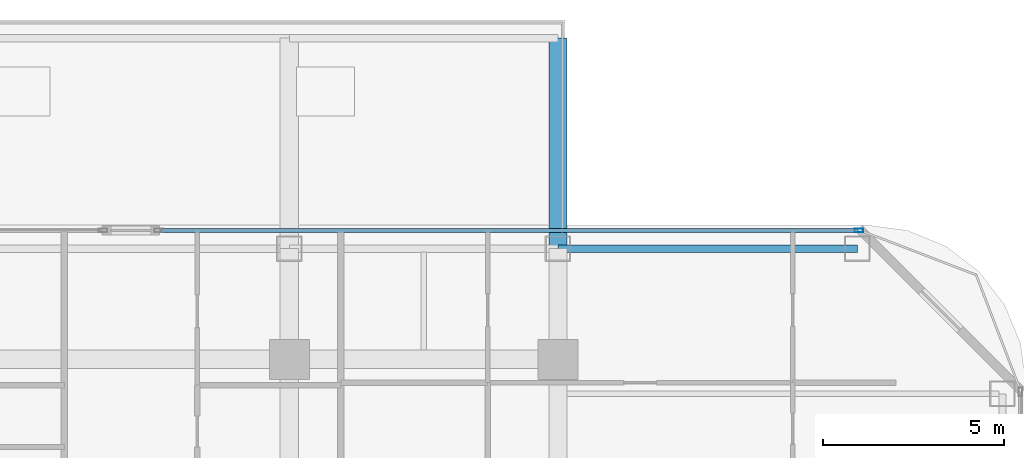
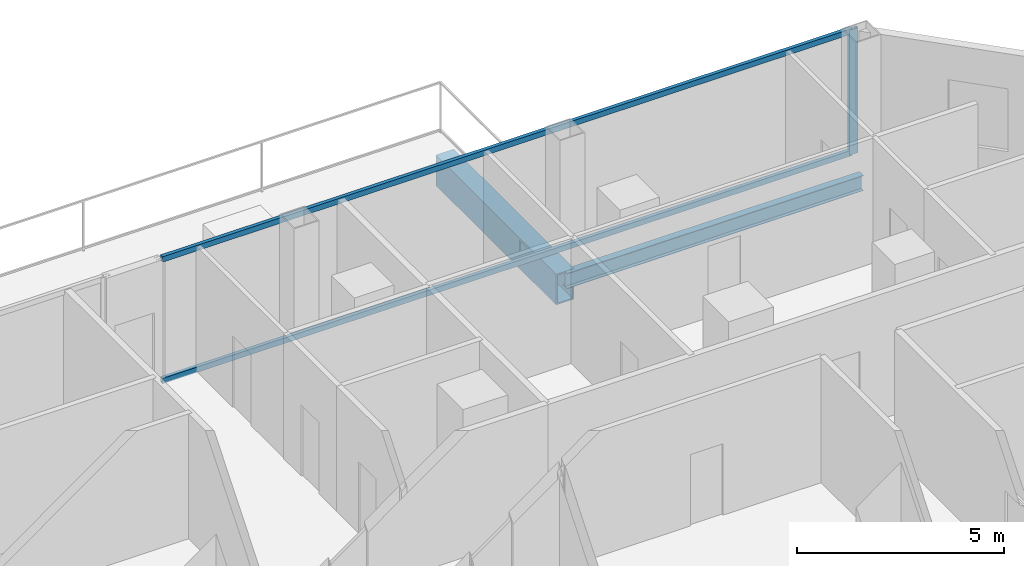
# One storey, part 18 of 29: 3 members, 2 beams, 1 element without a shape of its own.
"""IFC4 building model written with IfcOpenShell, lengths in metres."""

from ifc_helpers import new_model, si_unit, direction, frame, origin, origin_2d, place, context, subcontext, project, spatial, hollow_rectangle, i_section, extrude, material, layer, layer_set, material_profile, profile_set, type_object, element, aggregate, save


model = new_model("IFC4")

# Units and contexts
model_context = context("Model", 3, precision=1e-05, world=origin(), true_north=direction((0.0, 1.0)))
body_context = subcontext(model_context, "Body", "Model", "MODEL_VIEW")
ifc_project = project(units=[si_unit("LENGTHUNIT", "METRE"), si_unit("AREAUNIT", "SQUARE_METRE"), si_unit("VOLUMEUNIT", "CUBIC_METRE"), si_unit("PLANEANGLEUNIT", "RADIAN"), si_unit("MASSUNIT", "GRAM", prefix="KILO")], contexts=[model_context])

# Site, building, storey
site_placement = place(None, origin())
site = spatial("IfcSite", under=ifc_project, at=site_placement, CompositionType="ELEMENT")
building_placement = place(site_placement, origin())
building = spatial("IfcBuilding", under=site, at=building_placement, Name="Khorvyn Point Tower", CompositionType="ELEMENT")
storey_placement = place(building_placement, frame((0.0, 0.0, 136.800048828125)))
storey = spatial("IfcBuildingStorey", under=building, at=storey_placement, Name="L34", CompositionType="ELEMENT", Elevation=136.800048828125)

# Curtain wall, members
ifc_material_1 = material(Name="Anodised aluminium 6063-T6 and laminated Low-E glass", Category="aluminium")
ifc_layer = layer(ifc_material_1, 0.18994140625)
ifc_layer_set = layer_set([ifc_layer], Name="Stick-Built Acoustic Curtain Wall CW-SYS-03")
curtain_wall_type = type_object("IfcCurtainWallType", Name="Stick-Built Acoustic Curtain Wall CW-SYS-03", PredefinedType="NOTDEFINED", material=ifc_layer_set)
curtain_wall_placement = place(storey_placement, origin())
curtain_wall = element("IfcCurtainWall", 1, at=curtain_wall_placement, inside=storey, type_object=curtain_wall_type, Name="Curtain Wall", PredefinedType="NOTDEFINED")
ifc_material_2 = material(Name="Anodised aluminium 6063-T6", Category="aluminium")
ifc_material_profile_1 = material_profile(ifc_material_2, hollow_rectangle(XDim=0.10009765625, YDim=0.239990234375, WallThickness=0.0048828125, at=origin_2d()))
ifc_profile_set_1 = profile_set([ifc_material_profile_1], Name="Anodised aluminium 6063-T6 ALU-MUL-100x240")
member_type_1 = type_object("IfcMemberType", Name="Anodised Aluminium 6063-T6 Mullion ALU-MUL-100x240", PredefinedType="MULLION", material=ifc_profile_set_1)
member_1_placement = place(storey_placement, frame((23.10009765625, 23.64990234375, 0.0), z_axis=(0.0, 0.0, 1.0), x_axis=(0.0, 1.0, 0.0)))
member_1 = element("IfcMember", 2, at=member_1_placement, type_object=member_type_1, Name="Transom", PredefinedType="MULLION", context=body_context, shape_type="SweptSolid", body=[
    extrude(hollow_rectangle(XDim=0.10009765625, YDim=0.239990234375, WallThickness=0.0048828125, at=origin_2d()), origin(), (0.0, 0.0, 1.0), 3.679931640625),
])
ifc_material_profile_2 = material_profile(ifc_material_2, hollow_rectangle(XDim=0.10009765625, YDim=0.159912109375, WallThickness=0.00439453125, at=origin_2d()))
ifc_profile_set_2 = profile_set([ifc_material_profile_2], Name="Anodised aluminium 6063-T6 ALU-TRN-100x160")
member_type_2 = type_object("IfcMemberType", Name="Anodised Aluminium 6063-T6 Transom ALU-TRN-100x160", PredefinedType="USERDEFINED", material=ifc_profile_set_2)
member_2_placement = place(storey_placement, frame((3.85205078125, 23.64990234375, 0.050048828125), z_axis=(1.0, 0.0, 0.0), x_axis=(0.0, 1.0, 0.0)))
member_2 = element("IfcMember", 3, at=member_2_placement, type_object=member_type_2, Name="Transom", ObjectType="TRANSOM", PredefinedType="USERDEFINED", context=body_context, shape_type="SweptSolid", body=[
    extrude(hollow_rectangle(XDim=0.10009765625, YDim=0.159912109375, WallThickness=0.00439453125, at=origin_2d()), origin(), (0.0, 0.0, 1.0), 19.197998046875),
])
member_3_placement = place(storey_placement, frame((3.85205078125, 23.64990234375, 3.6298828125), z_axis=(1.0, 0.0, 0.0), x_axis=(0.0, 1.0, 0.0)))
member_3 = element("IfcMember", 4, at=member_3_placement, type_object=member_type_2, Name="Transom", ObjectType="TRANSOM", PredefinedType="USERDEFINED", context=body_context, shape_type="SweptSolid", body=[
    extrude(hollow_rectangle(XDim=0.10009765625, YDim=0.159912109375, WallThickness=0.00439453125, at=origin_2d()), origin(), (0.0, 0.0, 1.0), 19.197998046875),
])
aggregate(curtain_wall, [member_1, member_2, member_3])

# Beams
ifc_material_3 = material(Name="Steel S355", Category="steel")
ifc_material_profile_3 = material_profile(ifc_material_3, i_section(OverallWidth=0.199951171875, OverallDepth=0.449951171875, WebThickness=0.009033203125, FlangeThickness=0.013916015625, at=origin_2d()))
ifc_profile_set_3 = profile_set([ifc_material_profile_3], Name="Steel S355 H450x200x9x14")
beam_type_1 = type_object("IfcBeamType", Name="Steel S355 Spandrel H450x200x9x14", PredefinedType="SPANDREL", material=ifc_profile_set_3)
beam_1_placement = place(storey_placement, frame((14.800048828125, 23.14990234375, -0.505126953125), z_axis=(1.0, 0.0, 0.0), x_axis=(0.0, 1.0, 0.0)))
element("IfcBeam", 5, at=beam_1_placement, inside=storey, type_object=beam_type_1, Name="Beam", PredefinedType="SPANDREL", context=body_context, shape_type="SweptSolid", body=[
    extrude(i_section(OverallWidth=0.199951171875, OverallDepth=0.449951171875, WebThickness=0.009033203125, FlangeThickness=0.013916015625, at=origin_2d()), origin(), (0.0, 0.0, 1.0), 8.25),
])
ifc_material_4 = material(Name="Steel S450", Category="steel")
ifc_material_profile_4 = material_profile(ifc_material_4, hollow_rectangle(XDim=0.5, YDim=0.89990234375, WallThickness=0.0400390625, at=origin_2d()))
ifc_profile_set_4 = profile_set([ifc_material_profile_4], Name="Steel S450 BOX900x500x40")
beam_type_2 = type_object("IfcBeamType", Name="Steel S450 Beam BOX900x500x40", PredefinedType="BEAM", material=ifc_profile_set_4)
beam_2_placement = place(storey_placement, frame((14.800048828125, 23.14990234375, -0.72998046875), z_axis=(0.0, 1.0, 0.0), x_axis=(-1.0, 0.0, 0.0)))
element("IfcBeam", 6, at=beam_2_placement, inside=storey, type_object=beam_type_2, Name="L34 Radial Transfer Girder", PredefinedType="BEAM", context=body_context, shape_type="SweptSolid", body=[
    extrude(hollow_rectangle(XDim=0.5, YDim=0.89990234375, WallThickness=0.0400390625, at=origin_2d()), origin(), (0.0, 0.0, 1.0), 5.800048828125),
])

save(model, "model.ifc")
